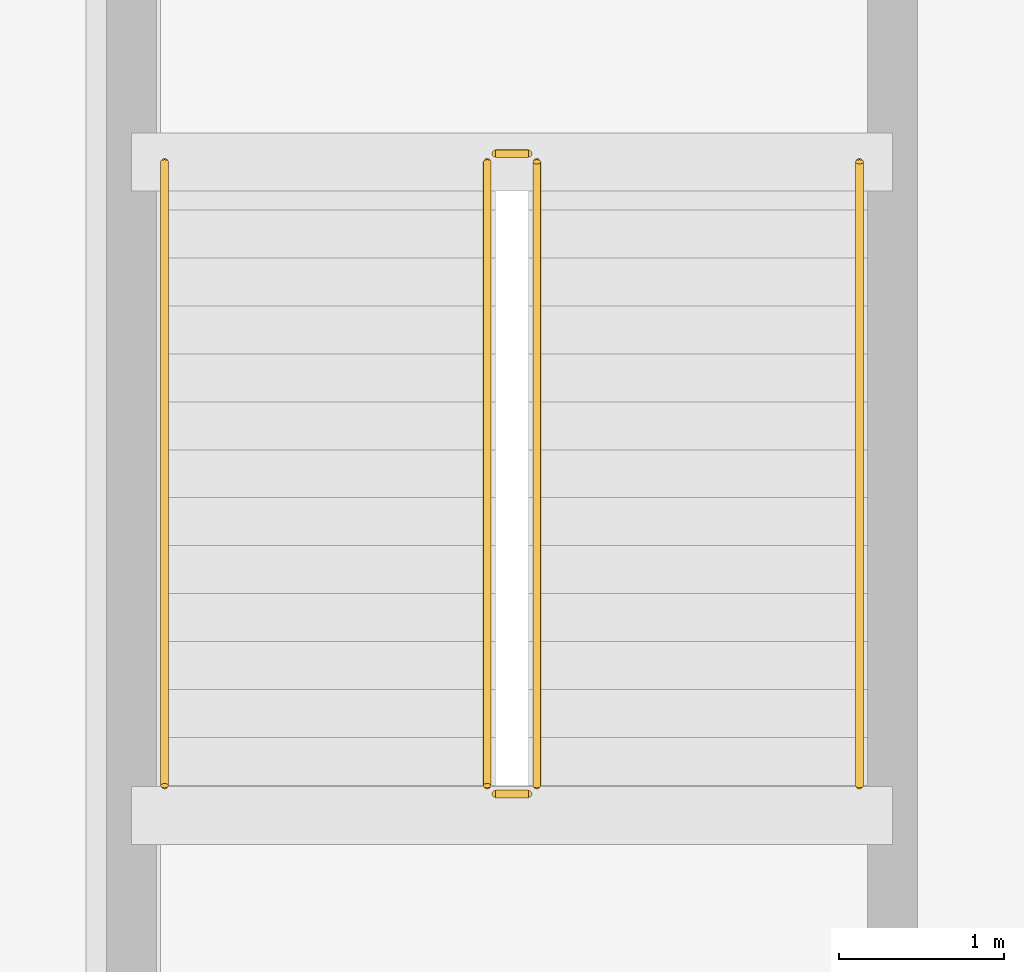
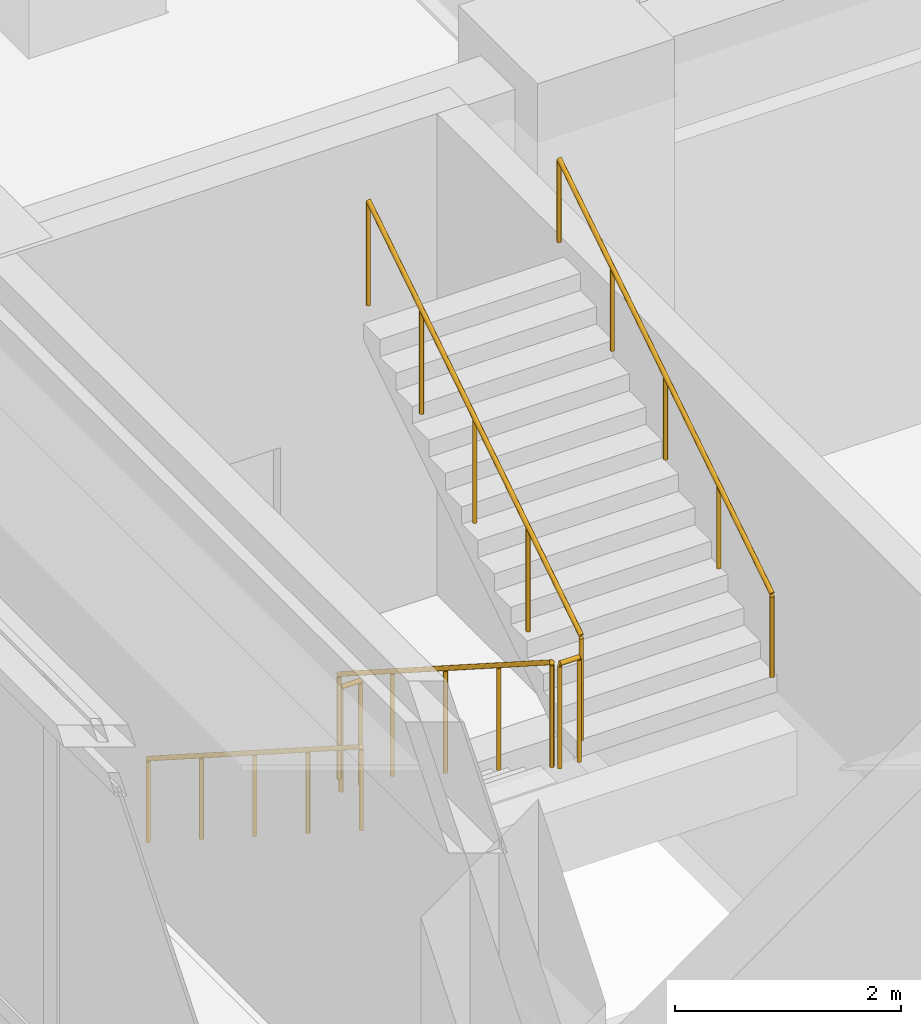
# One storey, part 13 of 18: 6 railings.
"""IFC4 building model written with IfcOpenShell, lengths in metres."""

from ifc_helpers import new_model, si_unit, direction, frame, origin, origin_2d, place, context, subcontext, project, spatial, circle, extrude, material, type_object, element, save


model = new_model("IFC4")

# Units and contexts
model_context = context("Model", 3, precision=1e-05, world=origin(), true_north=direction((0.0, 1.0)))
body_context = subcontext(model_context, "Body", "Model", "MODEL_VIEW")
ifc_project = project(units=[si_unit("LENGTHUNIT", "METRE"), si_unit("AREAUNIT", "SQUARE_METRE"), si_unit("VOLUMEUNIT", "CUBIC_METRE"), si_unit("PLANEANGLEUNIT", "RADIAN"), si_unit("MASSUNIT", "GRAM", prefix="KILO")], contexts=[model_context])

# Site, building, storey
site_placement = place(None, origin())
site = spatial("IfcSite", under=ifc_project, at=site_placement, CompositionType="ELEMENT")
building_placement = place(site_placement, origin())
building = spatial("IfcBuilding", under=site, at=building_placement, Name="Calvemar Wedge Station Tower", CompositionType="ELEMENT")
storey_placement = place(building_placement, frame((0.0, 0.0, 11.199951171875)))
storey = spatial("IfcBuildingStorey", under=building, at=storey_placement, Name="L03", CompositionType="ELEMENT", Elevation=11.199951171875)

# Railings
ifc_material_1 = material(Name="Stainless steel AISI 316L", Category="steel")
railing_type_1 = type_object("IfcRailingType", Name="RL-HANDRAIL-920", PredefinedType="HANDRAIL", material=ifc_material_1)
railing_1_placement = place(storey_placement, frame((5.050048828125, 12.10009765625, 0.185791015625)))
element("IfcRailing", 1, at=railing_1_placement, inside=storey, type_object=railing_type_1, Name="L03 ST-P1 stair handrail 1", PredefinedType="HANDRAIL", context=body_context, shape_type="SweptSolid", body=[
    extrude(circle(Radius=0.02392578125, at=origin_2d()), frame((0.0, 0.0, 0.89599609375), z_axis=(0.0, -0.84211983486, 0.539290444692), x_axis=(1.0, 0.0, 0.0)), (0.0, 0.0, 1.0), 4.476806640625),
    extrude(circle(Radius=0.02099609375, at=origin_2d()), origin(), (0.0, 0.0, 1.0), 0.871826171875),
    extrude(circle(Radius=0.02099609375, at=origin_2d()), frame((0.0, -0.9423828125, 0.603515625)), (0.0, 0.0, 1.0), 0.871826171875),
    extrude(circle(Radius=0.02099609375, at=origin_2d()), frame((0.0, -1.885009765625, 1.20703125)), (0.0, 0.0, 1.0), 0.871826171875),
    extrude(circle(Radius=0.02099609375, at=origin_2d()), frame((0.0, -2.82763671875, 1.810791015625)), (0.0, 0.0, 1.0), 0.871826171875),
    extrude(circle(Radius=0.02099609375, at=origin_2d()), frame((0.0, -3.77001953125, 2.414306640625)), (0.0, 0.0, 1.0), 0.871826171875),
])
railing_2_placement = place(storey_placement, frame((9.25, 8.330078125, 2.78564453125)))
element("IfcRailing", 2, at=railing_2_placement, inside=storey, type_object=railing_type_1, Name="L03 ST-P1 stair handrail 2", PredefinedType="HANDRAIL", context=body_context, shape_type="SweptSolid", body=[
    extrude(circle(Radius=0.02392578125, at=origin_2d()), frame((0.0, 0.0, 0.89599609375), z_axis=(0.0, 0.84211983486, 0.539290444692), x_axis=(-1.0, 0.0, 0.0)), (0.0, 0.0, 1.0), 4.476806640625),
    extrude(circle(Radius=0.02099609375, at=origin_2d()), origin(), (0.0, 0.0, 1.0), 0.871826171875),
    extrude(circle(Radius=0.02099609375, at=origin_2d()), frame((0.0, 0.9423828125, 0.603515625)), (0.0, 0.0, 1.0), 0.871826171875),
    extrude(circle(Radius=0.02099609375, at=origin_2d()), frame((0.0, 1.885009765625, 1.20703125)), (0.0, 0.0, 1.0), 0.871826171875),
    extrude(circle(Radius=0.02099609375, at=origin_2d()), frame((0.0, 2.82763671875, 1.810791015625)), (0.0, 0.0, 1.0), 0.871826171875),
    extrude(circle(Radius=0.02099609375, at=origin_2d()), frame((0.0, 3.77001953125, 2.414306640625)), (0.0, 0.0, 1.0), 0.871826171875),
])
ifc_material_2 = material(Name="Painted steel guardrail ASTM A500 Grade C", Category="steel")
railing_type_2 = type_object("IfcRailingType", Name="RL-STAIR-GUARD-1150", PredefinedType="GUARDRAIL", material=ifc_material_2)
railing_3_placement = place(storey_placement, frame((7.0, 12.10009765625, 0.185791015625)))
element("IfcRailing", 3, at=railing_3_placement, inside=storey, type_object=railing_type_2, Name="L03 ST-P1 stair guard 1", PredefinedType="GUARDRAIL", context=body_context, shape_type="SweptSolid", body=[
    extrude(circle(Radius=0.02392578125, at=origin_2d()), frame((0.0, 0.0, 1.1259765625), z_axis=(0.0, -0.84211983486, 0.539290444692), x_axis=(1.0, 0.0, 0.0)), (0.0, 0.0, 1.0), 4.476806640625),
    extrude(circle(Radius=0.02099609375, at=origin_2d()), origin(), (0.0, 0.0, 1.0), 1.101806640625),
    extrude(circle(Radius=0.02099609375, at=origin_2d()), frame((0.0, -0.9423828125, 0.603515625)), (0.0, 0.0, 1.0), 1.101806640625),
    extrude(circle(Radius=0.02099609375, at=origin_2d()), frame((0.0, -1.885009765625, 1.20703125)), (0.0, 0.0, 1.0), 1.101806640625),
    extrude(circle(Radius=0.02099609375, at=origin_2d()), frame((0.0, -2.82763671875, 1.810791015625)), (0.0, 0.0, 1.0), 1.101806640625),
    extrude(circle(Radius=0.02099609375, at=origin_2d()), frame((0.0, -3.77001953125, 2.414306640625)), (0.0, 0.0, 1.0), 1.101806640625),
])
railing_4_placement = place(storey_placement, frame((7.050048828125, 8.280029296875, 2.60009765625)))
element("IfcRailing", 4, at=railing_4_placement, inside=storey, type_object=railing_type_2, Name="L03 ST-P1 stair guard 2", PredefinedType="GUARDRAIL", context=body_context, shape_type="SweptSolid", body=[
    extrude(circle(Radius=0.02392578125, at=origin_2d()), frame((0.0, 0.0, 1.1259765625), z_axis=(1.0, 0.0, 0.0), x_axis=(0.0, 1.0, 0.0)), (0.0, 0.0, 1.0), 0.199951171875),
    extrude(circle(Radius=0.02099609375, at=origin_2d()), origin(), (0.0, 0.0, 1.0), 1.101806640625),
    extrude(circle(Radius=0.02099609375, at=origin_2d()), frame((0.199951171875, 0.0, 0.0)), (0.0, 0.0, 1.0), 1.101806640625),
])
railing_5_placement = place(storey_placement, frame((7.300048828125, 8.330078125, 2.78564453125)))
element("IfcRailing", 5, at=railing_5_placement, inside=storey, type_object=railing_type_2, Name="L03 ST-P1 stair guard 3", PredefinedType="GUARDRAIL", context=body_context, shape_type="SweptSolid", body=[
    extrude(circle(Radius=0.02392578125, at=origin_2d()), frame((0.0, 0.0, 1.1259765625), z_axis=(0.0, 0.84211983486, 0.539290444692), x_axis=(-1.0, 0.0, 0.0)), (0.0, 0.0, 1.0), 4.476806640625),
    extrude(circle(Radius=0.02099609375, at=origin_2d()), origin(), (0.0, 0.0, 1.0), 1.101806640625),
    extrude(circle(Radius=0.02099609375, at=origin_2d()), frame((0.0, 0.9423828125, 0.603515625)), (0.0, 0.0, 1.0), 1.101806640625),
    extrude(circle(Radius=0.02099609375, at=origin_2d()), frame((0.0, 1.885009765625, 1.20703125)), (0.0, 0.0, 1.0), 1.101806640625),
    extrude(circle(Radius=0.02099609375, at=origin_2d()), frame((0.0, 2.82763671875, 1.810791015625)), (0.0, 0.0, 1.0), 1.101806640625),
    extrude(circle(Radius=0.02099609375, at=origin_2d()), frame((0.0, 3.77001953125, 2.414306640625)), (0.0, 0.0, 1.0), 1.101806640625),
])
railing_6_placement = place(storey_placement, frame((7.050048828125, 12.14990234375, 0.0)))
element("IfcRailing", 6, at=railing_6_placement, inside=storey, type_object=railing_type_2, Name="L03 ST-P1 stair guard 4", PredefinedType="GUARDRAIL", context=body_context, shape_type="SweptSolid", body=[
    extrude(circle(Radius=0.02392578125, at=origin_2d()), frame((0.0, 0.0, 1.1259765625), z_axis=(1.0, 0.0, 0.0), x_axis=(0.0, 1.0, 0.0)), (0.0, 0.0, 1.0), 0.199951171875),
    extrude(circle(Radius=0.02099609375, at=origin_2d()), origin(), (0.0, 0.0, 1.0), 1.101806640625),
    extrude(circle(Radius=0.02099609375, at=origin_2d()), frame((0.199951171875, 0.0, 0.0)), (0.0, 0.0, 1.0), 1.101806640625),
])

save(model, "model.ifc")
